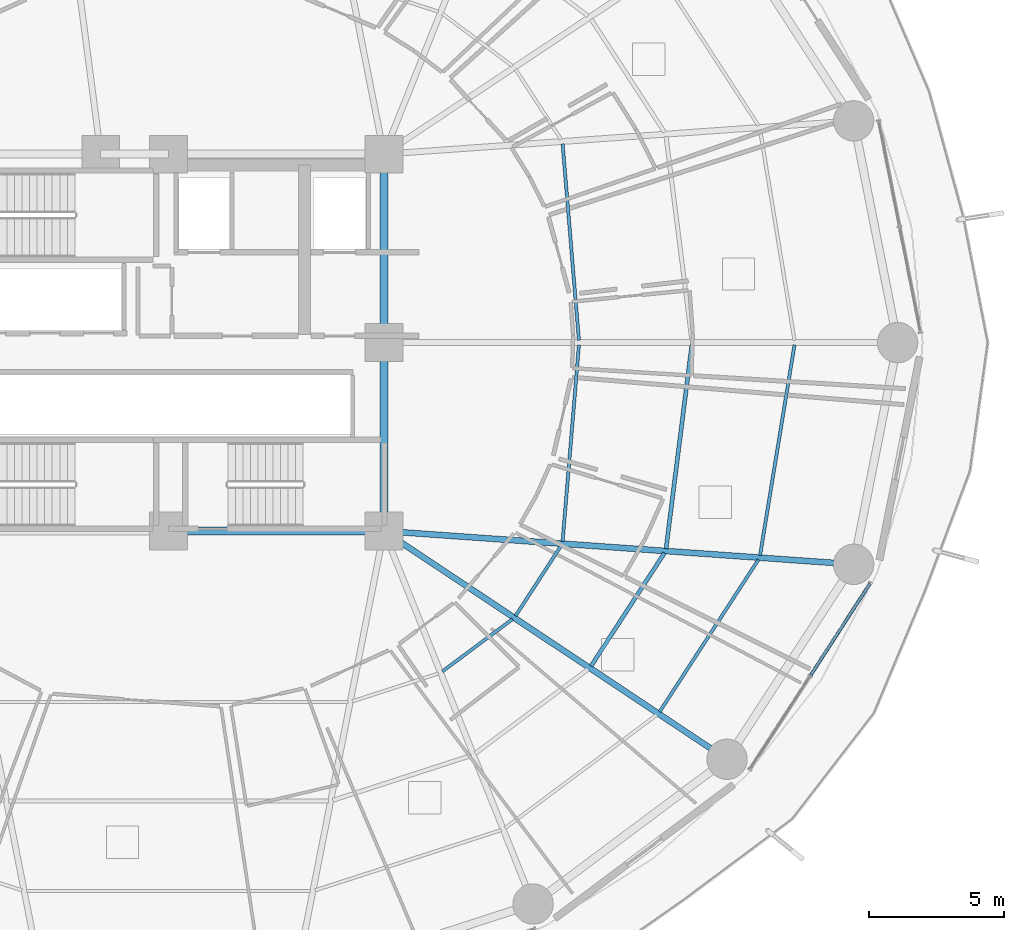
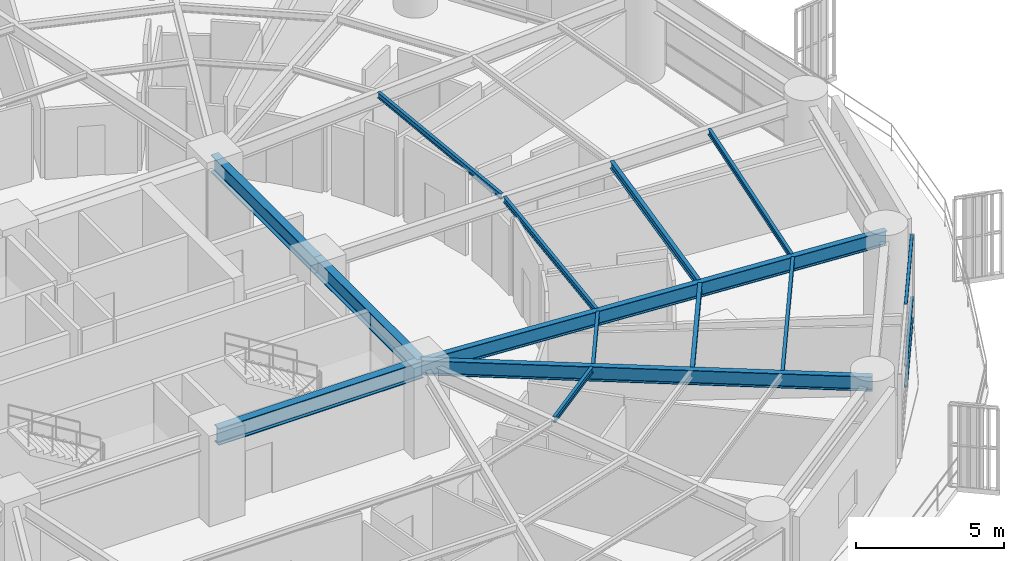
# One storey, part 11 of 32: 13 beams, 3 members, 1 element without a shape of its own.
"""IFC4 building model written with IfcOpenShell, lengths in metres."""

from ifc_helpers import new_model, si_unit, direction, frame, origin, origin_2d, place, context, subcontext, project, spatial, hollow_rectangle, i_section, extrude, material, layer, layer_set, material_profile, profile_set, type_object, element, aggregate, save


model = new_model("IFC4")

# Units and contexts
model_context = context("Model", 3, precision=1e-05, world=origin(), true_north=direction((0.0, 1.0)))
body_context = subcontext(model_context, "Body", "Model", "MODEL_VIEW")
ifc_project = project(units=[si_unit("LENGTHUNIT", "METRE"), si_unit("AREAUNIT", "SQUARE_METRE"), si_unit("VOLUMEUNIT", "CUBIC_METRE"), si_unit("PLANEANGLEUNIT", "RADIAN"), si_unit("MASSUNIT", "GRAM", prefix="KILO")], contexts=[model_context])

# Site, building, storey
site_placement = place(None, origin())
site = spatial("IfcSite", under=ifc_project, at=site_placement, CompositionType="ELEMENT")
building_placement = place(site_placement, origin())
building = spatial("IfcBuilding", under=site, at=building_placement, Name="Kelanora Arch Commons", CompositionType="ELEMENT")
storey_placement = place(building_placement, frame((0.0, 0.0, 60.0)))
storey = spatial("IfcBuildingStorey", under=building, at=storey_placement, Name="L15", CompositionType="ELEMENT", Elevation=60.0)

# Beams
ifc_material_1 = material(Name="Steel S355", Category="steel")
ifc_material_profile_1 = material_profile(ifc_material_1, i_section(OverallWidth=0.300048828125, OverallDepth=0.699951171875, WebThickness=0.01708984375, FlangeThickness=0.031982421875, FilletRadius=0.027099609375, at=origin_2d()), Name="HEB700")
ifc_profile_set_1 = profile_set([ifc_material_profile_1], Name="Steel S355")
beam_type_1 = type_object("IfcBeamType", Name="BM-CORE-HDR", PredefinedType="BEAM", material=ifc_profile_set_1)
beam_1_placement = place(storey_placement, frame((74.0, 51.0, 3.139892578125), z_axis=(1.0, 0.0, 0.0), x_axis=(0.0, 1.0, 0.0)))
element("IfcBeam", 1, at=beam_1_placement, inside=storey, type_object=beam_type_1, Name="Core Header Beam 02 L15", PredefinedType="BEAM", context=body_context, shape_type="SweptSolid", body=[
    extrude(i_section(OverallWidth=0.300048828125, OverallDepth=0.699951171875, WebThickness=0.01708984375, FlangeThickness=0.031982421875, FilletRadius=0.027099609375, at=origin_2d()), origin(), (0.0, 0.0, 1.0), 8.0),
])
for number, where, z_axis, x_axis, name in (
    (2, (82.0, 51.0, 3.139892578125), (0.0, 1.0, 0.0), (-1.0, 0.0, 0.0), "Core Header Beam 03 L15"),
    (3, (82.0, 58.0, 3.139892578125), (0.0, 1.0, 0.0), (-1.0, 0.0, 0.0), "Core Header Beam 04 L15"),
):
    element("IfcBeam", number, at=place(storey_placement, frame(where, z_axis=z_axis, x_axis=x_axis)), inside=storey, type_object=beam_type_1, Name=name, PredefinedType="BEAM", context=body_context, shape_type="SweptSolid", body=[
        extrude(i_section(OverallWidth=0.300048828125, OverallDepth=0.699951171875, WebThickness=0.01708984375, FlangeThickness=0.031982421875, FilletRadius=0.027099609375, at=origin_2d()), origin(), (0.0, 0.0, 1.0), 7.0),
    ])
ifc_material_profile_2 = material_profile(ifc_material_1, i_section(OverallWidth=0.14990234375, OverallDepth=0.300048828125, WebThickness=0.007080078125, FlangeThickness=0.0107421875, FilletRadius=0.014892578125, at=origin_2d()), Name="IPE300")
ifc_profile_set_2 = profile_set([ifc_material_profile_2], Name="Steel S355")
beam_type_2 = type_object("IfcBeamType", Name="BM-JST-01", PredefinedType="JOIST", material=ifc_profile_set_2)
beam_2_placement = place(storey_placement, frame((89.693115234375, 45.984375, 3.340087890625), z_axis=(0.544551588245, 0.838727350061, 0.0), x_axis=(-0.838727350061, 0.544551588245, 0.0)))
element("IfcBeam", 4, at=beam_2_placement, inside=storey, type_object=beam_type_2, Name="Secondary Chord Joist BJB-32 L15", PredefinedType="JOIST", context=body_context, shape_type="SweptSolid", body=[
    extrude(i_section(OverallWidth=0.14990234375, OverallDepth=0.300048828125, WebThickness=0.007080078125, FlangeThickness=0.0107421875, FilletRadius=0.014892578125, at=origin_2d()), origin(), (0.0, 0.0, 1.0), 5.010986328125),
])
beam_3_placement = place(storey_placement, frame((92.478759765625, 50.3427734375, 3.340087890625), z_axis=(0.125565841651, 0.992085288375, 0.0), x_axis=(-0.992085288375, 0.125565841651, 0.0)))
element("IfcBeam", 5, at=beam_3_placement, inside=storey, type_object=beam_type_2, Name="Secondary Chord Joist BJB-34 L15", PredefinedType="JOIST", context=body_context, shape_type="SweptSolid", body=[
    extrude(i_section(OverallWidth=0.14990234375, OverallDepth=0.300048828125, WebThickness=0.007080078125, FlangeThickness=0.0107421875, FilletRadius=0.014892578125, at=origin_2d()), origin(), (0.0, 0.0, 1.0), 7.63330078125),
])
ifc_material_profile_3 = material_profile(ifc_material_1, i_section(OverallWidth=0.1201171875, OverallDepth=0.239990234375, WebThickness=0.006103515625, FlangeThickness=0.009765625, FilletRadius=0.014892578125, at=origin_2d()), Name="IPE240")
ifc_profile_set_3 = profile_set([ifc_material_profile_3], Name="Steel S355")
beam_type_3 = type_object("IfcBeamType", Name="BM-JST-02", PredefinedType="JOIST", material=ifc_profile_set_3)
beam_4_placement = place(storey_placement, frame((89.243408203125, 58.084716796875, 3.3701171875), z_axis=(-0.082786209886, 0.996567330115, 0.0), x_axis=(-0.996567330115, -0.082786209886, 0.0)))
element("IfcBeam", 6, at=beam_4_placement, inside=storey, type_object=beam_type_3, Name="Secondary Chord Joist BJA-00 L15", PredefinedType="JOIST", context=body_context, shape_type="SweptSolid", body=[
    extrude(i_section(OverallWidth=0.1201171875, OverallDepth=0.239990234375, WebThickness=0.006103515625, FlangeThickness=0.009765625, FilletRadius=0.014892578125, at=origin_2d()), origin(), (0.0, 0.0, 1.0), 7.325439453125),
])
beam_5_placement = place(storey_placement, frame((84.17333984375, 45.786376953125, 3.3701171875), z_axis=(0.801513822608, 0.59797624716, 0.0), x_axis=(-0.59797624716, 0.801513822608, 0.0)))
element("IfcBeam", 7, at=beam_5_placement, inside=storey, type_object=beam_type_3, Name="Secondary Chord Joist BJA-30 L15", PredefinedType="JOIST", context=body_context, shape_type="SweptSolid", body=[
    extrude(i_section(OverallWidth=0.1201171875, OverallDepth=0.239990234375, WebThickness=0.006103515625, FlangeThickness=0.009765625, FilletRadius=0.014892578125, at=origin_2d()), origin(), (0.0, 0.0, 1.0), 3.245849609375),
])
beam_6_placement = place(storey_placement, frame((86.88916015625, 47.849609375, 3.3701171875), z_axis=(0.544591105858, 0.838701691557, 0.0), x_axis=(-0.838701691557, 0.544591105858, 0.0)))
element("IfcBeam", 8, at=beam_6_placement, inside=storey, type_object=beam_type_3, Name="Secondary Chord Joist BJA-32 L15", PredefinedType="JOIST", context=body_context, shape_type="SweptSolid", body=[
    extrude(i_section(OverallWidth=0.1201171875, OverallDepth=0.239990234375, WebThickness=0.006103515625, FlangeThickness=0.009765625, FilletRadius=0.014892578125, at=origin_2d()), origin(), (0.0, 0.0, 1.0), 3.111328125),
])
beam_7_placement = place(storey_placement, frame((92.241943359375, 44.288818359375, 3.3701171875), z_axis=(0.544550165372, 0.838728273873, 0.0), x_axis=(-0.838728273873, 0.544550165372, 0.0)))
element("IfcBeam", 9, at=beam_7_placement, inside=storey, type_object=beam_type_3, Name="Secondary Chord Joist BJC-32 L15", PredefinedType="JOIST", context=body_context, shape_type="SweptSolid", body=[
    extrude(i_section(OverallWidth=0.1201171875, OverallDepth=0.239990234375, WebThickness=0.006103515625, FlangeThickness=0.009765625, FilletRadius=0.014892578125, at=origin_2d()), origin(), (0.0, 0.0, 1.0), 6.738037109375),
])
beam_8_placement = place(storey_placement, frame((88.636962890625, 50.614990234375, 3.3701171875), z_axis=(0.082786209886, 0.996567330115, 0.0), x_axis=(-0.996567330115, 0.082786209886, 0.0)))
element("IfcBeam", 10, at=beam_8_placement, inside=storey, type_object=beam_type_3, Name="Secondary Chord Joist BJA-34 L15", PredefinedType="JOIST", context=body_context, shape_type="SweptSolid", body=[
    extrude(i_section(OverallWidth=0.1201171875, OverallDepth=0.239990234375, WebThickness=0.006103515625, FlangeThickness=0.009765625, FilletRadius=0.014892578125, at=origin_2d()), origin(), (0.0, 0.0, 1.0), 7.325439453125),
])
beam_9_placement = place(storey_placement, frame((95.97119140625, 50.09521484375, 3.3701171875), z_axis=(0.161400737199, 0.986888951216, 0.0), x_axis=(-0.986888951216, 0.161400737199, 0.0)))
element("IfcBeam", 11, at=beam_9_placement, inside=storey, type_object=beam_type_3, Name="Secondary Chord Joist BJC-34 L15", PredefinedType="JOIST", context=body_context, shape_type="SweptSolid", body=[
    extrude(i_section(OverallWidth=0.1201171875, OverallDepth=0.239990234375, WebThickness=0.006103515625, FlangeThickness=0.009765625, FilletRadius=0.014892578125, at=origin_2d()), origin(), (0.0, 0.0, 1.0), 7.9248046875),
])
ifc_material_profile_4 = material_profile(ifc_material_1, i_section(OverallWidth=0.219970703125, OverallDepth=0.60009765625, WebThickness=0.011962890625, FlangeThickness=0.01904296875, FilletRadius=0.02392578125, at=origin_2d()), Name="IPE600")
ifc_profile_set_4 = profile_set([ifc_material_profile_4], Name="Steel S355")
beam_type_4 = type_object("IfcBeamType", Name="BM-RAD-Z1", PredefinedType="BEAM", material=ifc_profile_set_4)
beam_10_placement = place(storey_placement, frame((82.0, 51.0, 3.18994140625), z_axis=(0.832592187754, -0.553886494591, 0.0), x_axis=(0.553886494591, 0.832592187754, 0.0)))
element("IfcBeam", 12, at=beam_10_placement, inside=storey, type_object=beam_type_4, Name="Radial Floor Girder BR-32 L15", PredefinedType="BEAM", context=body_context, shape_type="SweptSolid", body=[
    extrude(i_section(OverallWidth=0.219970703125, OverallDepth=0.60009765625, WebThickness=0.011962890625, FlangeThickness=0.01904296875, FilletRadius=0.02392578125, at=origin_2d()), origin(), (0.0, 0.0, 1.0), 15.306884765625),
])
beam_11_placement = place(storey_placement, frame((82.0, 51.0, 3.18994140625), z_axis=(0.997500683472, -0.070656821848, 0.0), x_axis=(0.070656821848, 0.997500683472, 0.0)))
element("IfcBeam", 13, at=beam_11_placement, inside=storey, type_object=beam_type_4, Name="Radial Floor Girder BR-34 L15", PredefinedType="BEAM", context=body_context, shape_type="SweptSolid", body=[
    extrude(i_section(OverallWidth=0.219970703125, OverallDepth=0.60009765625, WebThickness=0.011962890625, FlangeThickness=0.01904296875, FilletRadius=0.02392578125, at=origin_2d()), origin(), (0.0, 0.0, 1.0), 17.49072265625),
])

# Curtain wall, members
ifc_material_2 = material(Name="Terracotta ceramic-fritted low-E glass and aluminium", Category="masonry")
ifc_layer = layer(ifc_material_2, 0.159912109375)
ifc_layer_set = layer_set([ifc_layer], Name="Terracotta ceramic-fritted low-E glass and aluminium")
curtain_wall_type = type_object("IfcCurtainWallType", Name="CW-SYS-01", PredefinedType="NOTDEFINED", material=ifc_layer_set)
curtain_wall_placement = place(storey_placement, origin())
curtain_wall = element("IfcCurtainWall", 14, at=curtain_wall_placement, inside=storey, type_object=curtain_wall_type, Name="Unitised Curtain Wall L15-B16", PredefinedType="NOTDEFINED")
ifc_material_3 = material(Name="Powder-coated aluminium terracotta", Category="masonry")
ifc_material_profile_5 = material_profile(ifc_material_3, hollow_rectangle(XDim=0.1201171875, YDim=0.06005859375, WallThickness=0.0048828125, InnerFilletRadius=0.0048828125, OuterFilletRadius=0.010009765625, at=origin_2d()), Name="CWT120x60")
ifc_profile_set_5 = profile_set([ifc_material_profile_5], Name="Powder-coated aluminium terracotta")
member_type = type_object("IfcMemberType", Name="CWT-STD", PredefinedType="USERDEFINED", material=ifc_profile_set_5)
member_1_placement = place(storey_placement, frame((97.84716796875, 45.638671875, 0.030029296875), z_axis=(0.542997414293, 0.839734367566, 0.0), x_axis=(-0.839734367566, 0.542997414293, 0.0)))
member_1 = element("IfcMember", 15, at=member_1_placement, type_object=member_type, Name="CW-01 transom 2.1", ObjectType="TRANSOM", PredefinedType="USERDEFINED", context=body_context, shape_type="SweptSolid", body=[
    extrude(hollow_rectangle(XDim=0.1201171875, YDim=0.06005859375, WallThickness=0.0048828125, InnerFilletRadius=0.0048828125, OuterFilletRadius=0.010009765625, at=origin_2d()), origin(), (0.0, 0.0, 1.0), 4.067626953125),
])
member_2_placement = place(storey_placement, frame((97.84716796875, 45.638671875, 0.89990234375), z_axis=(0.542997414293, 0.839734367566, 0.0), x_axis=(-0.839734367566, 0.542997414293, 0.0)))
member_2 = element("IfcMember", 16, at=member_2_placement, type_object=member_type, Name="CW-01 transom 2.2", ObjectType="TRANSOM", PredefinedType="USERDEFINED", context=body_context, shape_type="SweptSolid", body=[
    extrude(hollow_rectangle(XDim=0.1201171875, YDim=0.06005859375, WallThickness=0.0048828125, InnerFilletRadius=0.0048828125, OuterFilletRadius=0.010009765625, at=origin_2d()), origin(), (0.0, 0.0, 1.0), 4.067626953125),
])
member_3_placement = place(storey_placement, frame((97.84716796875, 45.638671875, 3.445068359375), z_axis=(0.542997414293, 0.839734367566, 0.0), x_axis=(-0.839734367566, 0.542997414293, 0.0)))
member_3 = element("IfcMember", 17, at=member_3_placement, type_object=member_type, Name="CW-01 transom 2.3", ObjectType="TRANSOM", PredefinedType="USERDEFINED", context=body_context, shape_type="SweptSolid", body=[
    extrude(hollow_rectangle(XDim=0.1201171875, YDim=0.06005859375, WallThickness=0.0048828125, InnerFilletRadius=0.0048828125, OuterFilletRadius=0.010009765625, at=origin_2d()), origin(), (0.0, 0.0, 1.0), 4.067626953125),
])
aggregate(curtain_wall, [member_1, member_2, member_3])

save(model, "model.ifc")
